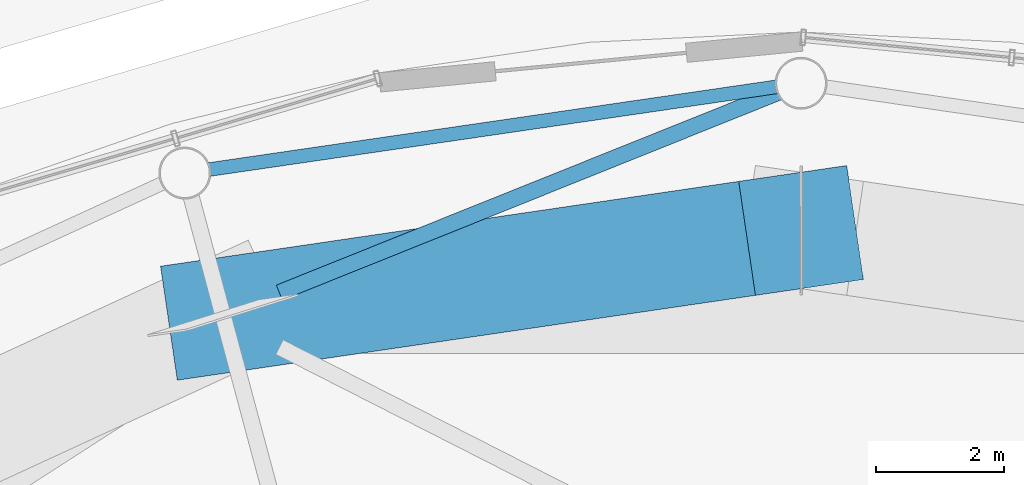
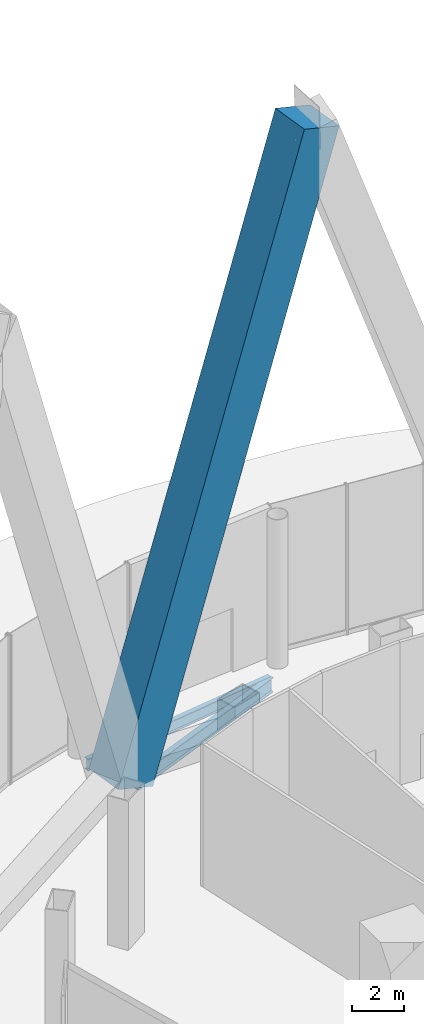
# One storey, part 50 of 67: 2 beams, 1 member.
"""IFC4 building model written with IfcOpenShell, lengths in metres."""

from ifc_helpers import new_model, si_unit, direction, frame, origin, origin_2d, place, context, subcontext, project, spatial, rectangle, i_section, extrude, material, material_profile, profile_set, type_object, element, save


model = new_model("IFC4")

# Units and contexts
model_context = context("Model", 3, precision=1e-05, world=origin(), true_north=direction((0.0, 1.0)))
body_context = subcontext(model_context, "Body", "Model", "MODEL_VIEW")
ifc_project = project(units=[si_unit("LENGTHUNIT", "METRE"), si_unit("AREAUNIT", "SQUARE_METRE"), si_unit("VOLUMEUNIT", "CUBIC_METRE"), si_unit("PLANEANGLEUNIT", "RADIAN"), si_unit("MASSUNIT", "GRAM", prefix="KILO")], contexts=[model_context])

# Site, building, storey
site_placement = place(None, origin())
site = spatial("IfcSite", under=ifc_project, at=site_placement, CompositionType="ELEMENT")
building_placement = place(site_placement, origin())
building = spatial("IfcBuilding", under=site, at=building_placement, Name="Nagisa Residences", CompositionType="ELEMENT")
storey_placement = place(building_placement, origin())
storey = spatial("IfcBuildingStorey", under=building, at=storey_placement, Name="L00", CompositionType="ELEMENT", Elevation=0.0)

# Beams
ifc_material_1 = material(Name="Steel ASTM A572 Gr 50", Category="steel")
ifc_material_profile_1 = material_profile(ifc_material_1, i_section(OverallWidth=0.2529296875, OverallDepth=0.677978515625, WebThickness=0.01171875, FlangeThickness=0.016357421875, at=origin_2d()), Name="W690x125")
ifc_profile_set_1 = profile_set([ifc_material_profile_1], Name="Steel ASTM A572 Gr 50")
beam_type_1 = type_object("IfcBeamType", Name="Atrium outer beam W690x125", PredefinedType="BEAM", material=ifc_profile_set_1)
beam_1_placement = place(storey_placement, frame((-4.55126953125, 37.92822265625, -0.739013671875), z_axis=(0.928026847912, 0.372513314601, 0.0), x_axis=(-0.372513314601, 0.928026847912, 0.0)))
element("IfcBeam", 1, at=beam_1_placement, inside=storey, type_object=beam_type_1, Name="beam:L00:er07b", PredefinedType="BEAM", context=body_context, shape_type="SweptSolid", body=[
    extrude(i_section(OverallWidth=0.2529296875, OverallDepth=0.677978515625, WebThickness=0.01171875, FlangeThickness=0.016357421875, at=origin_2d()), origin(), (0.0, 0.0, 1.0), 8.396728515625),
])
ifc_material_2 = material(Name="Steel ASTM A572 Gr 50", Category="steel")
ifc_material_profile_2 = material_profile(ifc_material_2, i_section(OverallWidth=0.214111328125, OverallDepth=0.549072265625, WebThickness=0.0146484375, FlangeThickness=0.023681640625, at=origin_2d()), Name="W530x138")
ifc_profile_set_2 = profile_set([ifc_material_profile_2], Name="Steel ASTM A572 Gr 50")
beam_type_2 = type_object("IfcBeamType", Name="Atrium ring beam W530x138", PredefinedType="BEAM", material=ifc_profile_set_2)
beam_2_placement = place(storey_placement, frame((3.217529296875, 41.144287109375, -0.674560546875), z_axis=(-0.989533710855, -0.144301888694, 0.0), x_axis=(0.144301888694, -0.989533710855, 0.0)))
element("IfcBeam", 2, at=beam_2_placement, inside=storey, type_object=beam_type_2, Name="beam:L00:ab07", PredefinedType="BEAM", context=body_context, shape_type="SweptSolid", body=[
    extrude(i_section(OverallWidth=0.214111328125, OverallDepth=0.549072265625, WebThickness=0.0146484375, FlangeThickness=0.023681640625, at=origin_2d()), origin(), (0.0, 0.0, 1.0), 8.956787109375),
])

# Member
ifc_material_3 = material(Name="Concrete C80", Category="concrete")
ifc_material_profile_3 = material_profile(ifc_material_3, rectangle(XDim=1.800048828125, YDim=1.800048828125, at=origin_2d()), Name="C80 1800x1800")
ifc_profile_set_3 = profile_set([ifc_material_profile_3], Name="Concrete C80")
member_type = type_object("IfcMemberType", Name="Cage diagonal 1 C80 1800x1800", PredefinedType="BRACE", material=ifc_profile_set_3)
member_placement = place(storey_placement, frame((-5.432861328125, 37.574462890625, 0.0), z_axis=(0.31692619877, 0.046503752348, 0.947309445509), x_axis=(-0.145179109263, 0.989405390239, 0.0)))
element("IfcMember", 3, at=member_placement, inside=storey, type_object=member_type, Name="mem:L00:cg1d007", PredefinedType="BRACE", context=body_context, shape_type="SweptSolid", body=[
    extrude(rectangle(XDim=1.800048828125, YDim=1.800048828125, at=origin_2d()), origin(), (0.0, 0.0, 1.0), 28.501708984375),
])

save(model, "model.ifc")
